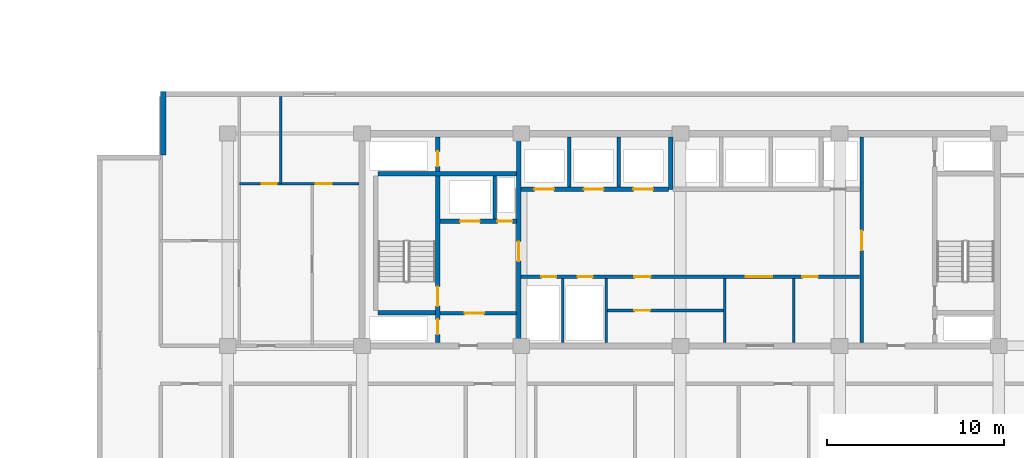
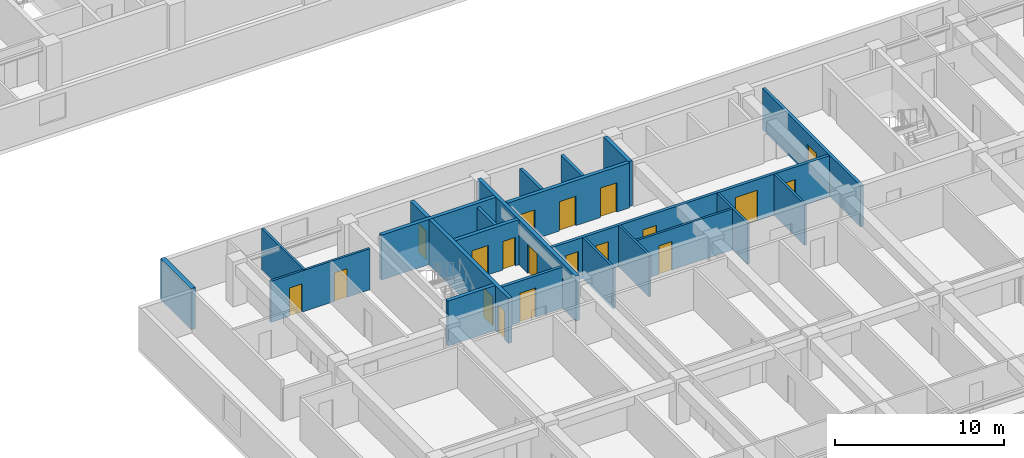
# One storey, part 6 of 23: 21 walls, 19 doors, 19 openings.
"""IFC4 building model written with IfcOpenShell, lengths in metres."""

from ifc_helpers import new_model, si_unit, direction, frame, frame_2d, origin, place, context, subcontext, project, spatial, rectangle, extrude, material, layer, layer_set, type_object, element, fill, save


model = new_model("IFC4")

# Units and contexts
model_context = context("Model", 3, precision=1e-05, world=origin(), true_north=direction((0.0, 1.0)))
body_context = subcontext(model_context, "Body", "Model", "MODEL_VIEW")
ifc_project = project(units=[si_unit("LENGTHUNIT", "METRE"), si_unit("AREAUNIT", "SQUARE_METRE"), si_unit("VOLUMEUNIT", "CUBIC_METRE"), si_unit("PLANEANGLEUNIT", "RADIAN"), si_unit("MASSUNIT", "GRAM", prefix="KILO")], contexts=[model_context])

# Site, building, storey
site_placement = place(None, origin())
site = spatial("IfcSite", under=ifc_project, at=site_placement, CompositionType="ELEMENT")
building_placement = place(site_placement, origin())
building = spatial("IfcBuilding", under=site, at=building_placement, Name="Korimba Cascade Residences", CompositionType="ELEMENT")
storey_placement = place(building_placement, frame((0.0, 0.0, 50.0)))
storey = spatial("IfcBuildingStorey", under=building, at=storey_placement, Name="L13", CompositionType="ELEMENT", Elevation=50.0)

# Walls
ifc_material_1 = material(Name="Precast concrete C40/50", Category="concrete")
ifc_layer_1 = layer(ifc_material_1, 0.300048828125)
ifc_layer_set_1 = layer_set([ifc_layer_1], Name="Precast concrete C40/50")
wall_type_1 = type_object("IfcWallType", Name="EW-STONE-300", PredefinedType="STANDARD", material=ifc_layer_set_1)
wall_1_placement = place(storey_placement, frame((70.85009765625, 32.800048828125, 0.0), z_axis=(0.0, 0.0, 1.0), x_axis=(0.0, -1.0, 0.0)))
element("IfcWall", 1, at=wall_1_placement, inside=storey, type_object=wall_type_1, Name="L13 T2 Perimeter Stone Wall E07", PredefinedType="STANDARD", context=body_context, shape_type="SweptSolid", body=[
    extrude(rectangle(XDim=3.60009765625, YDim=0.300048828125, at=frame_2d((1.800048828125, 0.0))), origin(), (0.0, 0.0, 1.0), 2.969970703125),
])
ifc_material_2 = material(Name="Insulated Acoustic Stud Partition", Category="gypsum")
ifc_layer_2 = layer(ifc_material_2, 0.14990234375)
ifc_layer_set_2 = layer_set([ifc_layer_2], Name="Insulated Acoustic Stud Partition")
wall_type_2 = type_object("IfcWallType", Name="WAL-PART-150", PredefinedType="PARTITIONING", material=ifc_layer_set_2)
for number, where, z_axis, x_axis, name in (
    (2, (93.449951171875, 18.60009765625, 0.0), (0.0, 0.0, 1.0), (0.0, 1.0, 0.0), "L13 Partition Wall CW-L13-T2-ERDIV"),
    (3, (95.89990234375, 18.60009765625, 0.0), (0.0, 0.0, 1.0), (0.0, 1.0, 0.0), "L13 Partition Wall CW-L13-T2-PRDIV"),
):
    element("IfcWall", number, at=place(storey_placement, frame(where, z_axis=z_axis, x_axis=x_axis)), inside=storey, type_object=wall_type_2, Name=name, PredefinedType="PARTITIONING", context=body_context, shape_type="SweptSolid", body=[
        extrude(rectangle(XDim=3.599853515625, YDim=0.14990234375, at=frame_2d((1.7998046875, 0.0))), origin(), (0.0, 0.0, 1.0), 2.969970703125),
    ])

# Wall, opening, door
wall_2_placement = place(storey_placement, frame((95.89990234375, 20.39990234375, 0.0), z_axis=(0.0, 0.0, 1.0), x_axis=(1.0, 0.0, 0.0)))
wall_2 = element("IfcWall", 4, at=wall_2_placement, inside=storey, type_object=wall_type_2, Name="L13 Partition Wall CW-L13-T2-CA2HZ", PredefinedType="PARTITIONING", context=body_context, shape_type="SweptSolid", body=[
    extrude(rectangle(XDim=6.7001953125, YDim=0.14990234375, at=frame_2d((3.35009765625, 0.0))), origin(), (0.0, 0.0, 1.0), 2.969970703125),
])
opening_1_placement = place(wall_2_placement, frame((1.60009765625, 0.0, 0.0)))
opening_1 = element("IfcOpeningElement", 5, at=opening_1_placement, cuts=wall_2, Name="Opening D-IN2", PredefinedType="OPENING", context=body_context, shape_type="SweptSolid", body=[
    extrude(rectangle(XDim=0.8798828125, YDim=2.06005859375, at=frame_2d((0.43994140625, 1.030029296875))), frame((0.0, 0.0849609375, 0.0), z_axis=(0.0, -1.0, 0.0), x_axis=(1.0, 0.0, 0.0)), (0.0, 0.0, 1.0), 0.169921875),
])
ifc_material_3 = material(Name="Acoustic Timber Bedroom Door", Category="wood")
door_type_1 = type_object("IfcDoorType", Name="DR-INT-880", OperationType="NOTDEFINED", PredefinedType="DOOR", material=ifc_material_3)
door_1_placement = place(opening_1_placement, origin())
door_1 = element("IfcDoor", 6, at=door_1_placement, inside=storey, type_object=door_type_1, Name="L13 T2 Pram Store Door", OperationType="SINGLE_SWING_LEFT", OverallHeight=2.06005859375, OverallWidth=0.8798828125, PredefinedType="DOOR", context=body_context, shape_type="SweptSolid", body=[
    extrude(rectangle(XDim=0.8798828125, YDim=2.06005859375, at=frame_2d((0.43994140625, 1.030029296875))), frame((0.0, 0.02490234375, 0.0), z_axis=(0.0, -1.0, 0.0), x_axis=(1.0, 0.0, 0.0)), (0.0, 0.0, 1.0), 0.050048828125),
])
fill(opening_1, door_1)

# Walls
for number, where, z_axis, x_axis, name in (
    (7, (102.60009765625, 18.60009765625, 0.0), (0.0, 0.0, 1.0), (0.0, 1.0, 0.0), "L13 Partition Wall CW-L13-T2-THW"),
    (8, (106.5, 18.60009765625, 0.0), (0.0, 0.0, 1.0), (0.0, 1.0, 0.0), "L13 Partition Wall CW-L13-T2-THE"),
):
    element("IfcWall", number, at=place(storey_placement, frame(where, z_axis=z_axis, x_axis=x_axis)), inside=storey, type_object=wall_type_2, Name=name, PredefinedType="PARTITIONING", context=body_context, shape_type="SweptSolid", body=[
        extrude(rectangle(XDim=3.599853515625, YDim=0.14990234375, at=frame_2d((1.7998046875, 0.0))), origin(), (0.0, 0.0, 1.0), 2.969970703125),
    ])
wall_3_placement = place(storey_placement, frame((77.5, 27.570068359375, 0.0), z_axis=(0.0, 0.0, 1.0), x_axis=(0.0, 1.0, 0.0)))
element("IfcWall", 9, at=wall_3_placement, inside=storey, type_object=wall_type_2, Name="L13 Partition Wall WAL-L13-T2-FW-VN", PredefinedType="PARTITIONING", context=body_context, shape_type="SweptSolid", body=[
    extrude(rectangle(XDim=4.929931640625, YDim=0.14990234375, at=frame_2d((2.46484375, 0.0))), origin(), (0.0, 0.0, 1.0), 2.969970703125),
])

# Wall, openings, doors
wall_4_placement = place(storey_placement, frame((75.169921875, 27.570068359375, 0.0), z_axis=(0.0, 0.0, 1.0), x_axis=(1.0, 0.0, 0.0)))
wall_4 = element("IfcWall", 10, at=wall_4_placement, inside=storey, type_object=wall_type_2, Name="L13 Partition Wall WAL-L13-T2-FW-H", PredefinedType="PARTITIONING", context=body_context, shape_type="SweptSolid", body=[
    extrude(rectangle(XDim=6.760009765625, YDim=0.14990234375, at=frame_2d((3.3798828125, 0.0))), origin(), (0.0, 0.0, 1.0), 2.969970703125),
])
opening_2_placement = place(wall_4_placement, frame((1.266357421875, 0.0, 0.0)))
opening_2 = element("IfcOpeningElement", 11, at=opening_2_placement, cuts=wall_4, Name="Opening D-BT1", PredefinedType="OPENING", context=body_context, shape_type="SweptSolid", body=[
    extrude(rectangle(XDim=0.840087890625, YDim=2.0400390625, at=frame_2d((0.419921875, 1.02001953125))), frame((0.0, 0.0849609375, 0.0), z_axis=(0.0, -1.0, 0.0), x_axis=(1.0, 0.0, 0.0)), (0.0, 0.0, 1.0), 0.169921875),
])
opening_3_placement = place(wall_4_placement, frame((4.320068359375, 0.0, 0.0)))
opening_3 = element("IfcOpeningElement", 12, at=opening_3_placement, cuts=wall_4, Name="Opening D-IN2", PredefinedType="OPENING", context=body_context, shape_type="SweptSolid", body=[
    extrude(rectangle(XDim=0.8798828125, YDim=2.06005859375, at=frame_2d((0.43994140625, 1.030029296875))), frame((0.0, 0.0849609375, 0.0), z_axis=(0.0, -1.0, 0.0), x_axis=(1.0, 0.0, 0.0)), (0.0, 0.0, 1.0), 0.169921875),
])
ifc_material_4 = material(Name="Moisture-Resistant Bathroom Timber Door", Category="wood")
door_type_2 = type_object("IfcDoorType", Name="DR-INT-850", OperationType="NOTDEFINED", PredefinedType="DOOR", material=ifc_material_4)
door_2_placement = place(opening_2_placement, origin())
door_2 = element("IfcDoor", 13, at=door_2_placement, inside=storey, type_object=door_type_2, Name="L13-T2-FW Bathroom Door", OperationType="SINGLE_SWING_LEFT", OverallHeight=2.0400390625, OverallWidth=0.840087890625, PredefinedType="DOOR", context=body_context, shape_type="SweptSolid", body=[
    extrude(rectangle(XDim=0.840087890625, YDim=2.0400390625, at=frame_2d((0.419921875, 1.02001953125))), frame((0.0, 0.02490234375, 0.0), z_axis=(0.0, -1.0, 0.0), x_axis=(1.0, 0.0, 0.0)), (0.0, 0.0, 1.0), 0.050048828125),
])
fill(opening_2, door_2)
door_3_placement = place(opening_3_placement, origin())
door_3 = element("IfcDoor", 14, at=door_3_placement, inside=storey, type_object=door_type_1, Name="L13-T2-FW Bedroom Door", OperationType="SINGLE_SWING_RIGHT", OverallHeight=2.06005859375, OverallWidth=0.8798828125, PredefinedType="DOOR", context=body_context, shape_type="SweptSolid", body=[
    extrude(rectangle(XDim=0.8798828125, YDim=2.06005859375, at=frame_2d((0.43994140625, 1.030029296875))), frame((0.0, 0.02490234375, 0.0), z_axis=(0.0, -1.0, 0.0), x_axis=(1.0, 0.0, 0.0)), (0.0, 0.0, 1.0), 0.050048828125),
])
fill(opening_3, door_3)

# Wall
ifc_material_5 = material(Name="Concrete C40/50", Category="concrete")
ifc_layer_3 = layer(ifc_material_5, 0.199951171875)
ifc_layer_set_3 = layer_set([ifc_layer_3], Name="Concrete C40/50")
wall_type_3 = type_object("IfcWallType", Name="WAL-PART-200", PredefinedType="PARTITIONING", material=ifc_layer_set_3)
wall_5_placement = place(storey_placement, frame((89.60009765625, 25.580078125, 0.0), z_axis=(0.0, 0.0, 1.0), x_axis=(0.0, 1.0, 0.0)))
element("IfcWall", 15, at=wall_5_placement, inside=storey, type_object=wall_type_3, Name="L13 Partition Wall CW-L13-T2-FFLDIV", PredefinedType="PARTITIONING", context=body_context, shape_type="SweptSolid", body=[
    extrude(rectangle(XDim=2.419921875, YDim=0.199951171875, at=frame_2d((1.2099609375, 0.0))), origin(), (0.0, 0.0, 1.0), 2.969970703125),
])

# Wall, opening, door
wall_6_placement = place(storey_placement, frame((86.5, 20.25, 0.0), z_axis=(0.0, 0.0, 1.0), x_axis=(1.0, 0.0, 0.0)))
wall_6 = element("IfcWall", 16, at=wall_6_placement, inside=storey, type_object=wall_type_3, Name="L13 Partition Wall CW-L13-T2-FFLS", PredefinedType="PARTITIONING", context=body_context, shape_type="SweptSolid", body=[
    extrude(rectangle(XDim=4.320068359375, YDim=0.199951171875, at=frame_2d((2.16015625, 0.0))), origin(), (0.0, 0.0, 1.0), 2.969970703125),
])
opening_4_placement = place(wall_6_placement, frame((1.39990234375, 0.0, 0.0)))
opening_4 = element("IfcOpeningElement", 17, at=opening_4_placement, cuts=wall_6, Name="Opening D-FD1", PredefinedType="OPENING", context=body_context, shape_type="SweptSolid", body=[
    extrude(rectangle(XDim=1.10009765625, YDim=2.10009765625, at=frame_2d((0.550048828125, 1.050048828125))), frame((0.0, 0.10986328125, 0.0), z_axis=(0.0, -1.0, 0.0), x_axis=(1.0, 0.0, 0.0)), (0.0, 0.0, 1.0), 0.219970703125),
])
ifc_material_6 = material(Name="Fire-Rated Steel Core Door", Category="steel")
door_type_3 = type_object("IfcDoorType", Name="DR-FD120-1100", OperationType="NOTDEFINED", PredefinedType="DOOR", material=ifc_material_6)
door_4_placement = place(opening_4_placement, origin())
door_4 = element("IfcDoor", 18, at=door_4_placement, inside=storey, type_object=door_type_3, Name="L13 T2 Firefighting Lobby Door", OperationType="SINGLE_SWING_RIGHT", OverallHeight=2.10009765625, OverallWidth=1.10009765625, PredefinedType="DOOR", context=body_context, shape_type="SweptSolid", body=[
    extrude(rectangle(XDim=1.10009765625, YDim=2.10009765625, at=frame_2d((0.550048828125, 1.050048828125))), frame((0.0, 0.02490234375, 0.0), z_axis=(0.0, -1.0, 0.0), x_axis=(1.0, 0.0, 0.0)), (0.0, 0.0, 1.0), 0.050048828125),
])
fill(opening_4, door_4)

# Walls
for number, where, z_axis, x_axis, name in (
    (19, (93.800048828125, 27.3798828125, 0.0), (0.0, 0.0, 1.0), (0.0, 1.0, 0.0), "L13 Partition Wall CW-L13-T2-B1D1"),
    (20, (96.60009765625, 27.3798828125, 0.0), (0.0, 0.0, 1.0), (0.0, 1.0, 0.0), "L13 Partition Wall CW-L13-T2-B1D2"),
):
    element("IfcWall", number, at=place(storey_placement, frame(where, z_axis=z_axis, x_axis=x_axis)), inside=storey, type_object=wall_type_3, Name=name, PredefinedType="PARTITIONING", context=body_context, shape_type="SweptSolid", body=[
        extrude(rectangle(XDim=2.820068359375, YDim=0.199951171875, at=frame_2d((1.41015625, 0.0))), origin(), (0.0, 0.0, 1.0), 2.969970703125),
    ])

# Wall, openings, doors
wall_7_placement = place(storey_placement, frame((91.080078125, 22.300048828125, 0.0), z_axis=(0.0, 0.0, 1.0), x_axis=(1.0, 0.0, 0.0)))
wall_7 = element("IfcWall", 21, at=wall_7_placement, inside=storey, type_object=wall_type_3, Name="L13 Partition Wall CW-L13-T2-SRVROW", PredefinedType="PARTITIONING", context=body_context, shape_type="SweptSolid", body=[
    extrude(rectangle(XDim=19.139892578125, YDim=0.199951171875, at=frame_2d((9.56982421875, 0.0))), origin(), (0.0, 0.0, 1.0), 2.969970703125),
])
opening_5_placement = place(wall_7_placement, frame((1.14990234375, 0.0, 0.0)))
opening_5 = element("IfcOpeningElement", 22, at=opening_5_placement, cuts=wall_7, Name="Opening D-RS1", PredefinedType="OPENING", context=body_context, shape_type="SweptSolid", body=[
    extrude(rectangle(XDim=0.85009765625, YDim=2.050048828125, at=frame_2d((0.425048828125, 1.02490234375))), frame((0.0, 0.10986328125, 0.0), z_axis=(0.0, -1.0, 0.0), x_axis=(1.0, 0.0, 0.0)), (0.0, 0.0, 1.0), 0.219970703125),
])
opening_6_placement = place(wall_7_placement, frame((3.199951171875, 0.0, 0.0)))
opening_6 = element("IfcOpeningElement", 23, at=opening_6_placement, cuts=wall_7, Name="Opening D-RS1", PredefinedType="OPENING", context=body_context, shape_type="SweptSolid", body=[
    extrude(rectangle(XDim=0.85009765625, YDim=2.050048828125, at=frame_2d((0.425048828125, 1.02490234375))), frame((0.0, 0.10986328125, 0.0), z_axis=(0.0, -1.0, 0.0), x_axis=(1.0, 0.0, 0.0)), (0.0, 0.0, 1.0), 0.219970703125),
])
opening_7_placement = place(wall_7_placement, frame((12.719970703125, 0.0, 0.0)))
opening_7 = element("IfcOpeningElement", 24, at=opening_7_placement, cuts=wall_7, Name="Opening D-FD8", PredefinedType="OPENING", context=body_context, shape_type="SweptSolid", body=[
    extrude(rectangle(XDim=1.5, YDim=2.199951171875, at=frame_2d((0.75, 1.10009765625))), frame((0.0, 0.10986328125, 0.0), z_axis=(0.0, -1.0, 0.0), x_axis=(1.0, 0.0, 0.0)), (0.0, 0.0, 1.0), 0.219970703125),
])
opening_8_placement = place(wall_7_placement, frame((6.419921875, 0.0, 0.0)))
opening_8 = element("IfcOpeningElement", 25, at=opening_8_placement, cuts=wall_7, Name="Opening D-IN1", PredefinedType="OPENING", context=body_context, shape_type="SweptSolid", body=[
    extrude(rectangle(XDim=0.919921875, YDim=2.080078125, at=frame_2d((0.4599609375, 1.0400390625))), frame((0.0, 0.10986328125, 0.0), z_axis=(0.0, -1.0, 0.0), x_axis=(1.0, 0.0, 0.0)), (0.0, 0.0, 1.0), 0.219970703125),
])
opening_9_placement = place(wall_7_placement, frame((15.919921875, 0.0, 0.0)))
opening_9 = element("IfcOpeningElement", 26, at=opening_9_placement, cuts=wall_7, Name="Opening D-IN2", PredefinedType="OPENING", context=body_context, shape_type="SweptSolid", body=[
    extrude(rectangle(XDim=0.8798828125, YDim=2.06005859375, at=frame_2d((0.43994140625, 1.030029296875))), frame((0.0, 0.10986328125, 0.0), z_axis=(0.0, -1.0, 0.0), x_axis=(1.0, 0.0, 0.0)), (0.0, 0.0, 1.0), 0.219970703125),
])
ifc_material_7 = material(Name="Fire-Rated Steel Riser Access Door", Category="steel")
door_type_4 = type_object("IfcDoorType", Name="DR-FD60-850", OperationType="NOTDEFINED", PredefinedType="DOOR", material=ifc_material_7)
door_5_placement = place(opening_5_placement, origin())
door_5 = element("IfcDoor", 27, at=door_5_placement, inside=storey, type_object=door_type_4, Name="L13 T2 Electrical Riser Door", OperationType="SINGLE_SWING_RIGHT", OverallHeight=2.050048828125, OverallWidth=0.85009765625, PredefinedType="DOOR", context=body_context, shape_type="SweptSolid", body=[
    extrude(rectangle(XDim=0.85009765625, YDim=2.050048828125, at=frame_2d((0.425048828125, 1.02490234375))), frame((0.0, 0.02490234375, 0.0), z_axis=(0.0, -1.0, 0.0), x_axis=(1.0, 0.0, 0.0)), (0.0, 0.0, 1.0), 0.050048828125),
])
fill(opening_5, door_5)
door_6_placement = place(opening_6_placement, origin())
door_6 = element("IfcDoor", 28, at=door_6_placement, inside=storey, type_object=door_type_4, Name="L13 T2 Plumbing Riser Door", OperationType="SINGLE_SWING_LEFT", OverallHeight=2.050048828125, OverallWidth=0.85009765625, PredefinedType="DOOR", context=body_context, shape_type="SweptSolid", body=[
    extrude(rectangle(XDim=0.85009765625, YDim=2.050048828125, at=frame_2d((0.425048828125, 1.02490234375))), frame((0.0, 0.02490234375, 0.0), z_axis=(0.0, -1.0, 0.0), x_axis=(1.0, 0.0, 0.0)), (0.0, 0.0, 1.0), 0.050048828125),
])
fill(opening_6, door_6)
ifc_material_8 = material(Name="Fire-Rated Glazed Lift Lobby Double Door", Category="glass")
door_type_5 = type_object("IfcDoorType", Name="DR-FD90-1500", OperationType="NOTDEFINED", PredefinedType="DOOR", material=ifc_material_8)
door_7_placement = place(opening_7_placement, origin())
door_7 = element("IfcDoor", 29, at=door_7_placement, inside=storey, type_object=door_type_5, Name="L13 T2 Lift Lobby Foyer Door", OperationType="DOUBLE_DOOR_SINGLE_SWING", OverallHeight=2.199951171875, OverallWidth=1.5, PredefinedType="DOOR", context=body_context, shape_type="SweptSolid", body=[
    extrude(rectangle(XDim=1.5, YDim=2.199951171875, at=frame_2d((0.75, 1.10009765625))), frame((0.0, 0.02490234375, 0.0), z_axis=(0.0, -1.0, 0.0), x_axis=(1.0, 0.0, 0.0)), (0.0, 0.0, 1.0), 0.050048828125),
])
fill(opening_7, door_7)
door_8_placement = place(opening_9_placement, origin())
door_8 = element("IfcDoor", 30, at=door_8_placement, inside=storey, type_object=door_type_1, Name="L13 T2 Staff WC Door", OperationType="SINGLE_SWING_LEFT", OverallHeight=2.06005859375, OverallWidth=0.8798828125, PredefinedType="DOOR", context=body_context, shape_type="SweptSolid", body=[
    extrude(rectangle(XDim=0.8798828125, YDim=2.06005859375, at=frame_2d((0.43994140625, 1.030029296875))), frame((0.0, 0.02490234375, 0.0), z_axis=(0.0, -1.0, 0.0), x_axis=(1.0, 0.0, 0.0)), (0.0, 0.0, 1.0), 0.050048828125),
])
fill(opening_9, door_8)
ifc_material_9 = material(Name="Acoustic Timber Living Door", Category="wood")
door_type_6 = type_object("IfcDoorType", Name="DR-INT-920", OperationType="NOTDEFINED", PredefinedType="DOOR", material=ifc_material_9)
door_9_placement = place(opening_8_placement, origin())
door_9 = element("IfcDoor", 31, at=door_9_placement, inside=storey, type_object=door_type_6, Name="L13 T2 Locker Door", OperationType="SINGLE_SWING_RIGHT", OverallHeight=2.080078125, OverallWidth=0.919921875, PredefinedType="DOOR", context=body_context, shape_type="SweptSolid", body=[
    extrude(rectangle(XDim=0.919921875, YDim=2.080078125, at=frame_2d((0.4599609375, 1.0400390625))), frame((0.0, 0.02490234375, 0.0), z_axis=(0.0, -1.0, 0.0), x_axis=(1.0, 0.0, 0.0)), (0.0, 0.0, 1.0), 0.050048828125),
])
fill(opening_8, door_9)

# Wall, opening, door
wall_8_placement = place(storey_placement, frame((110.35009765625, 18.60009765625, 0.0), z_axis=(0.0, 0.0, 1.0), x_axis=(0.0, 1.0, 0.0)))
wall_8 = element("IfcWall", 32, at=wall_8_placement, inside=storey, type_object=wall_type_3, Name="L13 Partition Wall CW-L13-T2-LLEV", PredefinedType="PARTITIONING", context=body_context, shape_type="SweptSolid", body=[
    extrude(rectangle(XDim=11.599853515625, YDim=0.199951171875, at=frame_2d((5.7998046875, 0.0))), origin(), (0.0, 0.0, 1.0), 2.969970703125),
])
opening_10_placement = place(wall_8_placement, frame((5.199951171875, 0.0, 0.0)))
opening_10 = element("IfcOpeningElement", 33, at=opening_10_placement, cuts=wall_8, Name="Opening D-FD6", PredefinedType="OPENING", context=body_context, shape_type="SweptSolid", body=[
    extrude(rectangle(XDim=1.10009765625, YDim=2.14990234375, at=frame_2d((0.550048828125, 1.074951171875))), frame((0.0, 0.10986328125, 0.0), z_axis=(0.0, -1.0, 0.0), x_axis=(1.0, 0.0, 0.0)), (0.0, 0.0, 1.0), 0.219970703125),
])
ifc_material_10 = material(Name="Fire-Rated Timber Stair Lobby Door", Category="wood")
door_type_7 = type_object("IfcDoorType", Name="DR-FD90-1100", OperationType="NOTDEFINED", PredefinedType="DOOR", material=ifc_material_10)
door_10_placement = place(opening_10_placement, origin())
door_10 = element("IfcDoor", 34, at=door_10_placement, inside=storey, type_object=door_type_7, Name="L13 T2 Lift Lobby to East Stair Lobby Door", OperationType="SINGLE_SWING_RIGHT", OverallHeight=2.14990234375, OverallWidth=1.10009765625, PredefinedType="DOOR", context=body_context, shape_type="SweptSolid", body=[
    extrude(rectangle(XDim=1.10009765625, YDim=2.14990234375, at=frame_2d((0.550048828125, 1.074951171875))), frame((0.0, 0.02490234375, 0.0), z_axis=(0.0, -1.0, 0.0), x_axis=(1.0, 0.0, 0.0)), (0.0, 0.0, 1.0), 0.050048828125),
])
fill(opening_10, door_10)

# Wall, openings, doors
ifc_material_11 = material(Name="Concrete C50/60", Category="concrete")
ifc_layer_4 = layer(ifc_material_11, 0.25)
ifc_layer_set_4 = layer_set([ifc_layer_4], Name="Concrete C50/60")
wall_type_4 = type_object("IfcWallType", Name="WAL-SHAFT-250", PredefinedType="SHEAR", material=ifc_layer_set_4)
wall_9_placement = place(storey_placement, frame((86.364990234375, 18.60009765625, 0.0), z_axis=(0.0, 0.0, 1.0), x_axis=(0.0, 1.0, 0.0)))
wall_9 = element("IfcWall", 35, at=wall_9_placement, inside=storey, type_object=wall_type_4, Name="L13 Core Shear Wall CW-L13-T2-STE1E", PredefinedType="SHEAR", context=body_context, shape_type="SweptSolid", body=[
    extrude(rectangle(XDim=11.599853515625, YDim=0.25, at=frame_2d((5.7998046875, 0.0))), origin(), (0.0, 0.0, 1.0), 3.25),
])
opening_11_placement = place(wall_9_placement, frame((0.449951171875, 0.0, 0.0)))
opening_11 = element("IfcOpeningElement", 36, at=opening_11_placement, cuts=wall_9, Name="Opening D-RS1", PredefinedType="OPENING", context=body_context, shape_type="SweptSolid", body=[
    extrude(rectangle(XDim=0.85009765625, YDim=2.050048828125, at=frame_2d((0.425048828125, 1.02490234375))), frame((0.0, 0.135009765625, 0.0), z_axis=(0.0, -1.0, 0.0), x_axis=(1.0, 0.0, 0.0)), (0.0, 0.0, 1.0), 0.27001953125),
])
opening_12_placement = place(wall_9_placement, frame((2.050048828125, 0.0, 0.0)))
opening_12 = element("IfcOpeningElement", 37, at=opening_12_placement, cuts=wall_9, Name="Opening D-FD1", PredefinedType="OPENING", context=body_context, shape_type="SweptSolid", body=[
    extrude(rectangle(XDim=1.10009765625, YDim=2.10009765625, at=frame_2d((0.550048828125, 1.050048828125))), frame((0.0, 0.135009765625, 0.0), z_axis=(0.0, -1.0, 0.0), x_axis=(1.0, 0.0, 0.0)), (0.0, 0.0, 1.0), 0.27001953125),
])
opening_13_placement = place(wall_9_placement, frame((9.949951171875, 0.0, 0.0)))
opening_13 = element("IfcOpeningElement", 38, at=opening_13_placement, cuts=wall_9, Name="Opening D-RS1", PredefinedType="OPENING", context=body_context, shape_type="SweptSolid", body=[
    extrude(rectangle(XDim=0.85009765625, YDim=2.050048828125, at=frame_2d((0.425048828125, 1.02490234375))), frame((0.0, 0.135009765625, 0.0), z_axis=(0.0, -1.0, 0.0), x_axis=(1.0, 0.0, 0.0)), (0.0, 0.0, 1.0), 0.27001953125),
])
door_11_placement = place(opening_12_placement, origin())
door_11 = element("IfcDoor", 39, at=door_11_placement, inside=storey, type_object=door_type_3, Name="L13 Fire Stair ST-E1 Door", OperationType="SINGLE_SWING_LEFT", OverallHeight=2.10009765625, OverallWidth=1.10009765625, PredefinedType="DOOR", context=body_context, shape_type="SweptSolid", body=[
    extrude(rectangle(XDim=1.10009765625, YDim=2.10009765625, at=frame_2d((0.550048828125, 1.050048828125))), frame((0.0, 0.02490234375, 0.0), z_axis=(0.0, -1.0, 0.0), x_axis=(1.0, 0.0, 0.0)), (0.0, 0.0, 1.0), 0.050048828125),
])
fill(opening_12, door_11)
door_12_placement = place(opening_11_placement, origin())
door_12 = element("IfcDoor", 40, at=door_12_placement, inside=storey, type_object=door_type_4, Name="L13 T2 Hydrant Riser Door", OperationType="SINGLE_SWING_RIGHT", OverallHeight=2.050048828125, OverallWidth=0.85009765625, PredefinedType="DOOR", context=body_context, shape_type="SweptSolid", body=[
    extrude(rectangle(XDim=0.85009765625, YDim=2.050048828125, at=frame_2d((0.425048828125, 1.02490234375))), frame((0.0, 0.02490234375, 0.0), z_axis=(0.0, -1.0, 0.0), x_axis=(1.0, 0.0, 0.0)), (0.0, 0.0, 1.0), 0.050048828125),
])
fill(opening_11, door_12)
door_13_placement = place(opening_13_placement, origin())
door_13 = element("IfcDoor", 41, at=door_13_placement, inside=storey, type_object=door_type_4, Name="L13 T2 Smoke Shaft Door", OperationType="SINGLE_SWING_RIGHT", OverallHeight=2.050048828125, OverallWidth=0.85009765625, PredefinedType="DOOR", context=body_context, shape_type="SweptSolid", body=[
    extrude(rectangle(XDim=0.85009765625, YDim=2.050048828125, at=frame_2d((0.425048828125, 1.02490234375))), frame((0.0, 0.02490234375, 0.0), z_axis=(0.0, -1.0, 0.0), x_axis=(1.0, 0.0, 0.0)), (0.0, 0.0, 1.0), 0.050048828125),
])
fill(opening_13, door_13)

# Walls
wall_10_placement = place(storey_placement, frame((83.0, 20.27490234375, 0.0), z_axis=(0.0, 0.0, 1.0), x_axis=(1.0, 0.0, 0.0)))
element("IfcWall", 42, at=wall_10_placement, inside=storey, type_object=wall_type_4, Name="L13 Core Shear Wall CW-L13-T2-STE1S", PredefinedType="SHEAR", context=body_context, shape_type="SweptSolid", body=[
    extrude(rectangle(XDim=3.239990234375, YDim=0.25, at=frame_2d((1.6201171875, 0.0))), origin(), (0.0, 0.0, 1.0), 3.25),
])
wall_11_placement = place(storey_placement, frame((83.0, 28.125, 0.0), z_axis=(0.0, 0.0, 1.0), x_axis=(1.0, 0.0, 0.0)))
element("IfcWall", 43, at=wall_11_placement, inside=storey, type_object=wall_type_4, Name="L13 Core Shear Wall CW-L13-T2-STE1N", PredefinedType="SHEAR", context=body_context, shape_type="SweptSolid", body=[
    extrude(rectangle(XDim=7.820068359375, YDim=0.25, at=frame_2d((3.91015625, 0.0))), origin(), (0.0, 0.0, 1.0), 3.25),
])

# Wall, openings, doors
wall_12_placement = place(storey_placement, frame((86.5, 25.449951171875, 0.0), z_axis=(0.0, 0.0, 1.0), x_axis=(1.0, 0.0, 0.0)))
wall_12 = element("IfcWall", 44, at=wall_12_placement, inside=storey, type_object=wall_type_4, Name="L13 Core Shear Wall CW-L13-T2-FFLN", PredefinedType="SHEAR", context=body_context, shape_type="SweptSolid", body=[
    extrude(rectangle(XDim=4.320068359375, YDim=0.25, at=frame_2d((2.16015625, 0.0))), origin(), (0.0, 0.0, 1.0), 3.25),
])
opening_14_placement = place(wall_12_placement, frame((1.139892578125, 0.0, 0.0)))
opening_14 = element("IfcOpeningElement", 45, at=opening_14_placement, cuts=wall_12, Name="Opening LD-01", PredefinedType="OPENING", context=body_context, shape_type="SweptSolid", body=[
    extrude(rectangle(XDim=1.1201171875, YDim=2.1201171875, at=frame_2d((0.56005859375, 1.06005859375))), frame((0.0, 0.135009765625, 0.0), z_axis=(0.0, -1.0, 0.0), x_axis=(1.0, 0.0, 0.0)), (0.0, 0.0, 1.0), 0.27001953125),
])
opening_15_placement = place(wall_12_placement, frame((3.25, 0.0, 0.0)))
opening_15 = element("IfcOpeningElement", 46, at=opening_15_placement, cuts=wall_12, Name="Opening D-RS1", PredefinedType="OPENING", context=body_context, shape_type="SweptSolid", body=[
    extrude(rectangle(XDim=0.85009765625, YDim=2.050048828125, at=frame_2d((0.425048828125, 1.02490234375))), frame((0.0, 0.135009765625, 0.0), z_axis=(0.0, -1.0, 0.0), x_axis=(1.0, 0.0, 0.0)), (0.0, 0.0, 1.0), 0.27001953125),
])
door_14_placement = place(opening_15_placement, origin())
door_14 = element("IfcDoor", 47, at=door_14_placement, inside=storey, type_object=door_type_4, Name="L13 T2 Pressurisation Riser Door", OperationType="SINGLE_SWING_LEFT", OverallHeight=2.050048828125, OverallWidth=0.85009765625, PredefinedType="DOOR", context=body_context, shape_type="SweptSolid", body=[
    extrude(rectangle(XDim=0.85009765625, YDim=2.050048828125, at=frame_2d((0.425048828125, 1.02490234375))), frame((0.0, 0.02490234375, 0.0), z_axis=(0.0, -1.0, 0.0), x_axis=(1.0, 0.0, 0.0)), (0.0, 0.0, 1.0), 0.050048828125),
])
fill(opening_15, door_14)
ifc_material_12 = material(Name="Stainless Steel Lift Landing Sliding Door", Category="steel")
door_type_8 = type_object("IfcDoorType", Name="DR-LIFT-1100", OperationType="NOTDEFINED", PredefinedType="DOOR", material=ifc_material_12)
door_15_placement = place(opening_14_placement, origin())
door_15 = element("IfcDoor", 48, at=door_15_placement, inside=storey, type_object=door_type_8, Name="L13 Firefighting Lift Landing Door FFL-E1", OperationType="SLIDING_TO_RIGHT", OverallHeight=2.1201171875, OverallWidth=1.1201171875, PredefinedType="DOOR", context=body_context, shape_type="SweptSolid", body=[
    extrude(rectangle(XDim=1.1201171875, YDim=2.1201171875, at=frame_2d((0.56005859375, 1.06005859375))), frame((0.0, 0.02490234375, 0.0), z_axis=(0.0, -1.0, 0.0), x_axis=(1.0, 0.0, 0.0)), (0.0, 0.0, 1.0), 0.050048828125),
])
fill(opening_14, door_15)

# Wall, opening, door
wall_13_placement = place(storey_placement, frame((90.949951171875, 18.60009765625, 0.0), z_axis=(0.0, 0.0, 1.0), x_axis=(0.0, 1.0, 0.0)))
wall_13 = element("IfcWall", 49, at=wall_13_placement, inside=storey, type_object=wall_type_4, Name="L13 Core Shear Wall CW-L13-T2-FFLE", PredefinedType="SHEAR", context=body_context, shape_type="SweptSolid", body=[
    extrude(rectangle(XDim=11.599853515625, YDim=0.25, at=frame_2d((5.7998046875, 0.0))), origin(), (0.0, 0.0, 1.0), 3.25),
])
opening_16_placement = place(wall_13_placement, frame((4.60009765625, 0.0, 0.0)))
opening_16 = element("IfcOpeningElement", 50, at=opening_16_placement, cuts=wall_13, Name="Opening D-FD1", PredefinedType="OPENING", context=body_context, shape_type="SweptSolid", body=[
    extrude(rectangle(XDim=1.10009765625, YDim=2.10009765625, at=frame_2d((0.550048828125, 1.050048828125))), frame((0.0, 0.135009765625, 0.0), z_axis=(0.0, -1.0, 0.0), x_axis=(1.0, 0.0, 0.0)), (0.0, 0.0, 1.0), 0.27001953125),
])
door_16_placement = place(opening_16_placement, origin())
door_16 = element("IfcDoor", 51, at=door_16_placement, inside=storey, type_object=door_type_3, Name="L13 T2 Firefighting Lobby to Lift Lobby Door", OperationType="SINGLE_SWING_LEFT", OverallHeight=2.10009765625, OverallWidth=1.10009765625, PredefinedType="DOOR", context=body_context, shape_type="SweptSolid", body=[
    extrude(rectangle(XDim=1.10009765625, YDim=2.10009765625, at=frame_2d((0.550048828125, 1.050048828125))), frame((0.0, 0.02490234375, 0.0), z_axis=(0.0, -1.0, 0.0), x_axis=(1.0, 0.0, 0.0)), (0.0, 0.0, 1.0), 0.050048828125),
])
fill(opening_16, door_16)

# Wall, openings, doors
wall_14_placement = place(storey_placement, frame((91.080078125, 27.25, 0.0), z_axis=(0.0, 0.0, 1.0), x_axis=(1.0, 0.0, 0.0)))
wall_14 = element("IfcWall", 52, at=wall_14_placement, inside=storey, type_object=wall_type_4, Name="L13 Core Shear Wall CW-L13-T2-B1S", PredefinedType="SHEAR", context=body_context, shape_type="SweptSolid", body=[
    extrude(rectangle(XDim=8.33984375, YDim=0.25, at=frame_2d((4.169921875, 0.0))), origin(), (0.0, 0.0, 1.0), 3.25),
])
opening_17_placement = place(wall_14_placement, frame((0.760009765625, 0.0, 0.0)))
opening_17 = element("IfcOpeningElement", 53, at=opening_17_placement, cuts=wall_14, Name="Opening LD-01", PredefinedType="OPENING", context=body_context, shape_type="SweptSolid", body=[
    extrude(rectangle(XDim=1.1201171875, YDim=2.1201171875, at=frame_2d((0.56005859375, 1.06005859375))), frame((0.0, 0.135009765625, 0.0), z_axis=(0.0, -1.0, 0.0), x_axis=(1.0, 0.0, 0.0)), (0.0, 0.0, 1.0), 0.27001953125),
])
opening_18_placement = place(wall_14_placement, frame((3.56005859375, 0.0, 0.0)))
opening_18 = element("IfcOpeningElement", 54, at=opening_18_placement, cuts=wall_14, Name="Opening LD-01", PredefinedType="OPENING", context=body_context, shape_type="SweptSolid", body=[
    extrude(rectangle(XDim=1.1201171875, YDim=2.1201171875, at=frame_2d((0.56005859375, 1.06005859375))), frame((0.0, 0.135009765625, 0.0), z_axis=(0.0, -1.0, 0.0), x_axis=(1.0, 0.0, 0.0)), (0.0, 0.0, 1.0), 0.27001953125),
])
opening_19_placement = place(wall_14_placement, frame((6.360107421875, 0.0, 0.0)))
opening_19 = element("IfcOpeningElement", 55, at=opening_19_placement, cuts=wall_14, Name="Opening LD-01", PredefinedType="OPENING", context=body_context, shape_type="SweptSolid", body=[
    extrude(rectangle(XDim=1.1201171875, YDim=2.1201171875, at=frame_2d((0.56005859375, 1.06005859375))), frame((0.0, 0.135009765625, 0.0), z_axis=(0.0, -1.0, 0.0), x_axis=(1.0, 0.0, 0.0)), (0.0, 0.0, 1.0), 0.27001953125),
])
door_17_placement = place(opening_17_placement, origin())
door_17 = element("IfcDoor", 56, at=door_17_placement, inside=storey, type_object=door_type_8, Name="L13 Lift Landing Door PL-E1", OperationType="SLIDING_TO_LEFT", OverallHeight=2.1201171875, OverallWidth=1.1201171875, PredefinedType="DOOR", context=body_context, shape_type="SweptSolid", body=[
    extrude(rectangle(XDim=1.1201171875, YDim=2.1201171875, at=frame_2d((0.56005859375, 1.06005859375))), frame((0.0, 0.02490234375, 0.0), z_axis=(0.0, -1.0, 0.0), x_axis=(1.0, 0.0, 0.0)), (0.0, 0.0, 1.0), 0.050048828125),
])
fill(opening_17, door_17)
door_18_placement = place(opening_18_placement, origin())
door_18 = element("IfcDoor", 57, at=door_18_placement, inside=storey, type_object=door_type_8, Name="L13 Lift Landing Door PL-E2", OperationType="SLIDING_TO_LEFT", OverallHeight=2.1201171875, OverallWidth=1.1201171875, PredefinedType="DOOR", context=body_context, shape_type="SweptSolid", body=[
    extrude(rectangle(XDim=1.1201171875, YDim=2.1201171875, at=frame_2d((0.56005859375, 1.06005859375))), frame((0.0, 0.02490234375, 0.0), z_axis=(0.0, -1.0, 0.0), x_axis=(1.0, 0.0, 0.0)), (0.0, 0.0, 1.0), 0.050048828125),
])
fill(opening_18, door_18)
door_19_placement = place(opening_19_placement, origin())
door_19 = element("IfcDoor", 58, at=door_19_placement, inside=storey, type_object=door_type_8, Name="L13 Lift Landing Door PL-E3", OperationType="SLIDING_TO_LEFT", OverallHeight=2.1201171875, OverallWidth=1.1201171875, PredefinedType="DOOR", context=body_context, shape_type="SweptSolid", body=[
    extrude(rectangle(XDim=1.1201171875, YDim=2.1201171875, at=frame_2d((0.56005859375, 1.06005859375))), frame((0.0, 0.02490234375, 0.0), z_axis=(0.0, -1.0, 0.0), x_axis=(1.0, 0.0, 0.0)), (0.0, 0.0, 1.0), 0.050048828125),
])
fill(opening_19, door_19)

# Wall
wall_15_placement = place(storey_placement, frame((99.550048828125, 27.25, 0.0), z_axis=(0.0, 0.0, 1.0), x_axis=(0.0, 1.0, 0.0)))
element("IfcWall", 59, at=wall_15_placement, inside=storey, type_object=wall_type_4, Name="L13 Core Shear Wall CW-L13-T2-B12DIV", PredefinedType="SHEAR", context=body_context, shape_type="SweptSolid", body=[
    extrude(rectangle(XDim=2.949951171875, YDim=0.25, at=frame_2d((1.47509765625, 0.0))), origin(), (0.0, 0.0, 1.0), 3.25),
])

save(model, "model.ifc")
